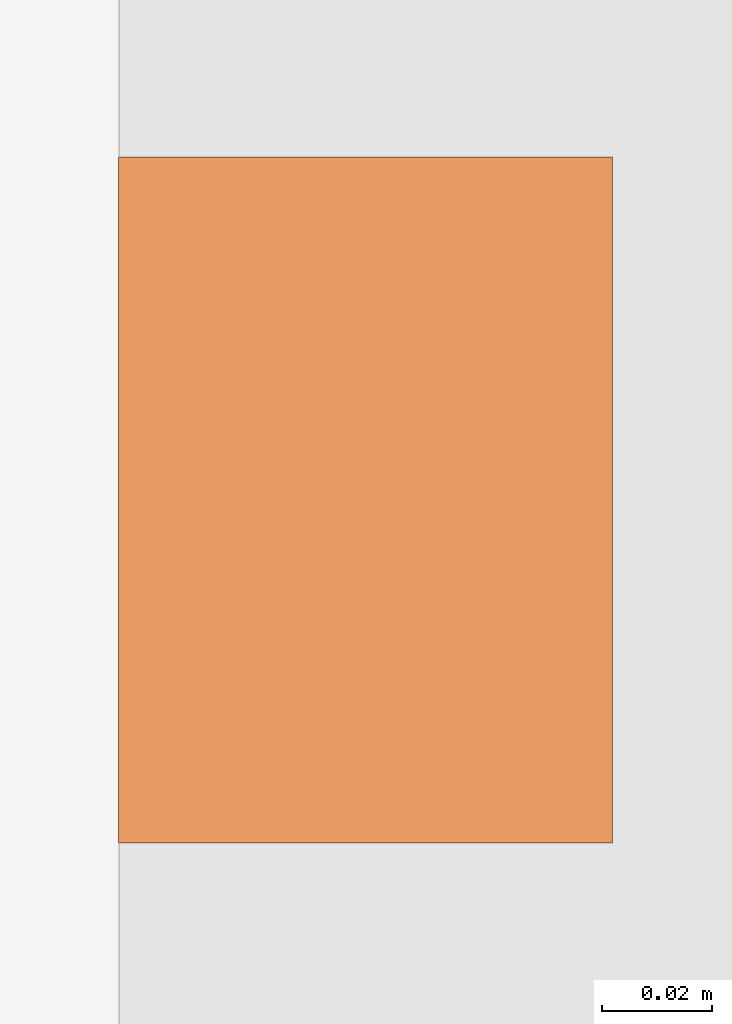
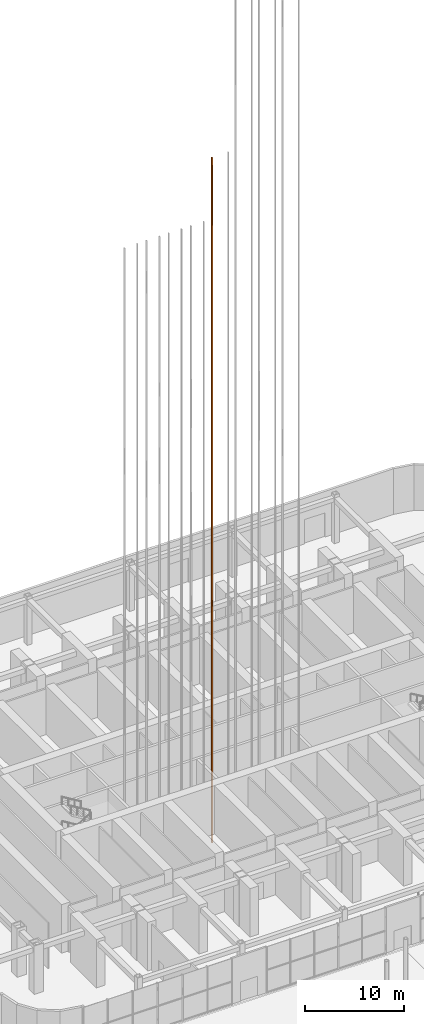
# One storey, part 50 of 57: 1 proxy.
"""IFC4 building model written with IfcOpenShell, lengths in metres."""

from ifc_helpers import new_model, si_unit, direction, frame, origin, origin_2d, place, context, subcontext, project, spatial, rectangle, extrude, material, element, save


model = new_model("IFC4")

# Units and contexts
model_context = context("Model", 3, precision=1e-05, world=origin(), true_north=direction((0.0, 1.0)))
body_context = subcontext(model_context, "Body", "Model", "MODEL_VIEW")
ifc_project = project(units=[si_unit("LENGTHUNIT", "METRE"), si_unit("AREAUNIT", "SQUARE_METRE"), si_unit("VOLUMEUNIT", "CUBIC_METRE"), si_unit("PLANEANGLEUNIT", "RADIAN"), si_unit("MASSUNIT", "GRAM", prefix="KILO")], contexts=[model_context])

# Site, building, storey
site_placement = place(None, origin())
site = spatial("IfcSite", under=ifc_project, at=site_placement, CompositionType="ELEMENT")
building_placement = place(site_placement, origin())
building = spatial("IfcBuilding", under=site, at=building_placement, Name="Orbita Commons", CompositionType="ELEMENT")
storey_placement = place(building_placement, origin())
storey = spatial("IfcBuildingStorey", under=building, at=storey_placement, Name="L00", CompositionType="ELEMENT", Elevation=0.0)

# Proxy
ifc_material = material(Name="Machined steel guide rail", Category="steel")
placement = place(storey_placement, frame((37.77490234375, 28.10009765625, 0.0), z_axis=(0.0, 0.0, 1.0), x_axis=(1.0, 0.0, 0.0)))
proxy_placement = place(placement, frame((-0.955078125, 0.0, -3.199951171875)))
element("IfcBuildingElementProxy", 1, at=proxy_placement, inside=storey, material=ifc_material, Name="SH11 guide rail 1", ObjectType="GUIDE RAIL", PredefinedType="USERDEFINED", context=body_context, shape_type="SweptSolid", body=[
    extrude(rectangle(XDim=0.09, YDim=0.125, at=origin_2d()), origin(), (0.0, 0.0, 1.0), 84.85009765625),
])

save(model, "model.ifc")
